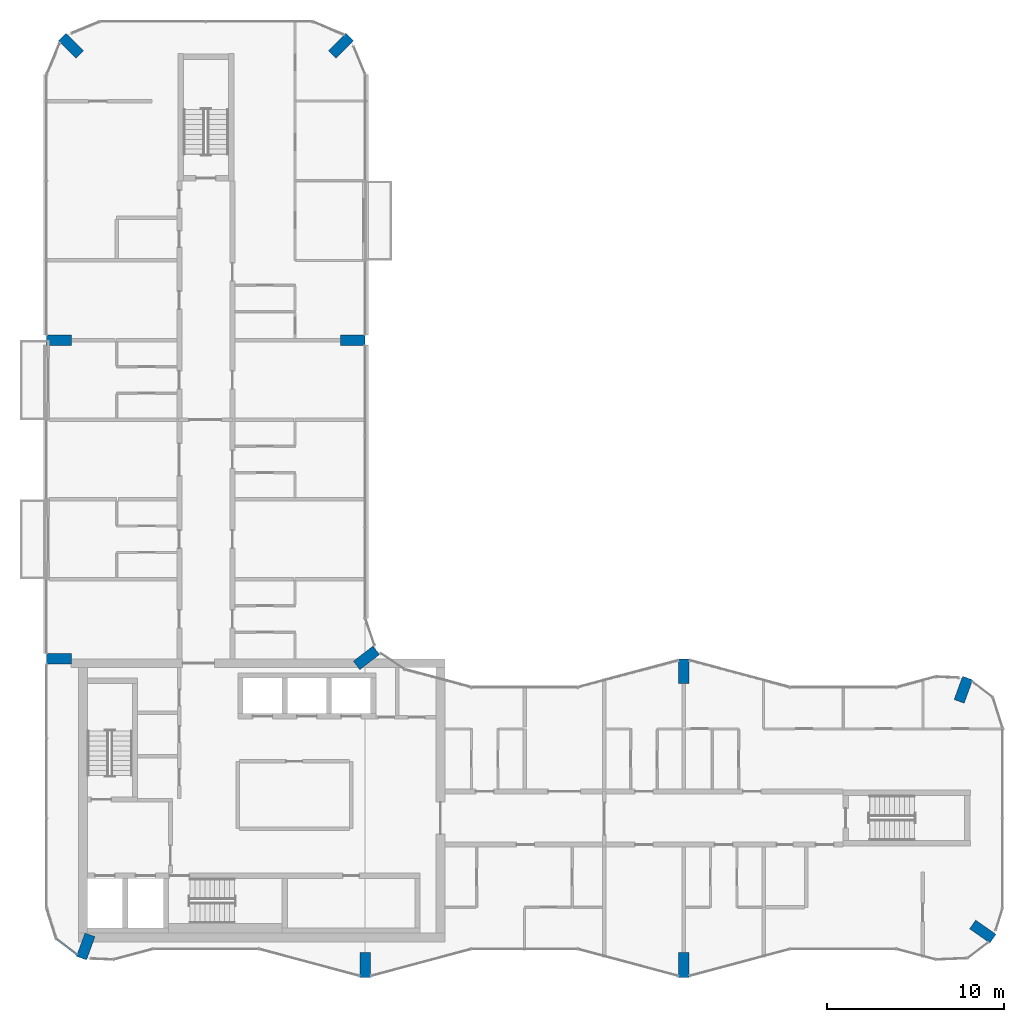
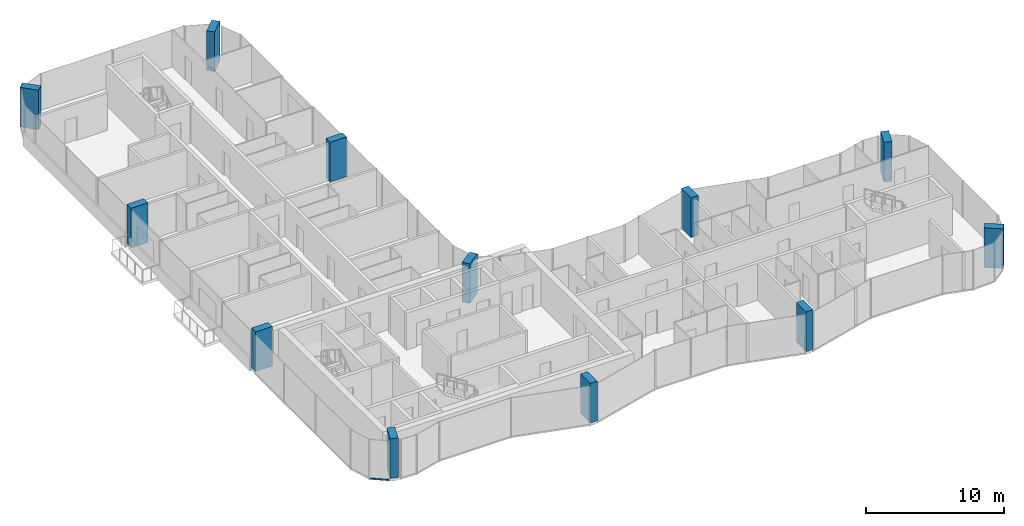
# One storey, part 1 of 16: 12 columns, 1 member, 1 element without a shape of its own.
"""IFC4 building model written with IfcOpenShell, lengths in metres."""

import ifcopenshell
import ifcopenshell.guid

model = None  # the IFC model being written
_history = None  # IfcOwnerHistory: only IFC2X3 demands one
_inside = {}  # id of a spatial element -> (the spatial element, [elements in it])
_under = {}  # id of a project, library or spatial element -> (it, [spatial elements below it])
_declared = {}  # id of a project -> (the project, [libraries it declares])
_typed = {}  # id of a type object -> (the type object, [elements of that type])
_made_of = {}  # id of a material, layer set ... -> (it, [elements and type objects made of it])


def new_model(schema):
    """Start an empty IFC model of exactly this schema.

    Asked for "IFC4X3", IfcOpenShell would pick the latest addendum, in which some entities
    have other attributes; the version numbers below select the first issue.
    IFC2X3 requires an IfcOwnerHistory on every rooted entity: one is made here for all.
    """
    global model, _history
    if schema == "IFC4X3":
        model = ifcopenshell.file(schema_version=(4, 3, 0, 0))
    else:
        model = ifcopenshell.file(schema=schema)
    _inside.clear()
    _under.clear()
    _declared.clear()
    _typed.clear()
    _made_of.clear()
    _history = None
    if model.schema == "IFC2X3":
        org = make("IfcOrganization", Name="unknown")
        user = make(
            "IfcPersonAndOrganization",
            ThePerson=make("IfcPerson", FamilyName="unknown"),
            TheOrganization=org,
        )
        app = make(
            "IfcApplication",
            ApplicationDeveloper=org,
            Version="unknown",
            ApplicationFullName="unknown",
            ApplicationIdentifier="unknown",
        )
        _history = make(
            "IfcOwnerHistory",
            OwningUser=user,
            OwningApplication=app,
            ChangeAction="ADDED",
            CreationDate=0,
        )
    return model


def make(cls, **values):
    """One entity of the class cls with the attributes given. An attribute that is None is left unset."""
    return model.create_entity(
        cls, **{name: value for name, value in values.items() if value is not None}
    )


def rooted(cls, **values):
    """An entity with a GlobalId (a new one), such as an element, a storey or a relation."""
    return make(cls, GlobalId=ifcopenshell.guid.new(), OwnerHistory=_history, **values)


def si_unit(unit_type, name, prefix=None):
    """IfcSIUnit, for example si_unit("LENGTHUNIT", "METRE", prefix="MILLI")."""
    return make("IfcSIUnit", UnitType=unit_type, Prefix=prefix, Name=name)


def assignment(units):
    """IfcUnitAssignment: the units of a project."""
    return None if units is None else make("IfcUnitAssignment", Units=units)


def point(xyz):
    """IfcCartesianPoint."""
    return None if xyz is None else make("IfcCartesianPoint", Coordinates=xyz)


def direction(xyz):
    """IfcDirection."""
    return None if xyz is None else make("IfcDirection", DirectionRatios=xyz)


def frame(location, z_axis=None, x_axis=None):
    """IfcAxis2Placement3D, a coordinate frame: its origin and axes. An axis left out is left unset."""
    return make(
        "IfcAxis2Placement3D",
        Location=point(location),
        Axis=direction(z_axis),
        RefDirection=direction(x_axis),
    )


def frame_2d(location, x_axis=None):
    """IfcAxis2Placement2D, a coordinate frame in the plane: its origin and x axis."""
    return make(
        "IfcAxis2Placement2D", Location=point(location), RefDirection=direction(x_axis)
    )


def origin():
    """The frame at (0, 0, 0) with its axes left unset."""
    return frame((0.0, 0.0, 0.0))


def origin_2d():
    """The frame at (0, 0) in the plane with its x axis left unset."""
    return frame_2d((0.0, 0.0))


def place(relative_to, where):
    """IfcLocalPlacement: puts the frame where relative to a parent placement (None: the world)."""
    return make(
        "IfcLocalPlacement", PlacementRelTo=relative_to, RelativePlacement=where
    )


def context(
    kind, dimensions, precision=None, world=None, true_north=None, identifier=None
):
    """IfcGeometricRepresentationContext, for example the 3D "Model" context."""
    return make(
        "IfcGeometricRepresentationContext",
        ContextIdentifier=identifier,
        ContextType=kind,
        CoordinateSpaceDimension=dimensions,
        Precision=precision,
        WorldCoordinateSystem=world,
        TrueNorth=true_north,
    )


def subcontext(parent, identifier, kind, view, scale=None):
    """IfcGeometricRepresentationSubContext, for example "Body" below "Model"."""
    return make(
        "IfcGeometricRepresentationSubContext",
        ContextIdentifier=identifier,
        ContextType=kind,
        ParentContext=parent,
        TargetScale=scale,
        TargetView=view,
    )


def project(units=None, contexts=None):
    """IfcProject with its units and contexts."""
    return rooted(
        "IfcProject",
        Name="project",
        RepresentationContexts=contexts,
        UnitsInContext=assignment(units),
    )


def spatial(cls, under=None, at=None, **own):
    """A site, building, storey or space (cls), placed at a placement, below another one or the project."""
    s = rooted(cls, ObjectPlacement=at, **own)
    if under is not None:
        _under.setdefault(under.id(), (under, []))[1].append(s)
    return s


def profile(cls, at=None, kind="AREA", **sizes):
    """A parametric profile (cls). Its sizes go by their IFC names, for example OverallWidth=200.0."""
    return make(cls, ProfileType=kind, Position=at, **sizes)


def rectangle(**sizes):
    """IfcRectangleProfileDef."""
    return profile("IfcRectangleProfileDef", **sizes)


def extrude(swept, where, along, depth):
    """IfcExtrudedAreaSolid: the profile swept, set in the frame where, extruded along a direction by depth."""
    return make(
        "IfcExtrudedAreaSolid",
        SweptArea=swept,
        Position=where,
        ExtrudedDirection=direction(along),
        Depth=depth,
    )


def shape(context_of_items, identifier, shape_type, items):
    """IfcShapeRepresentation: the items that make up one representation, for example the "Body"."""
    return make(
        "IfcShapeRepresentation",
        ContextOfItems=context_of_items,
        RepresentationIdentifier=identifier,
        RepresentationType=shape_type,
        Items=items,
    )


def material(Name=None, Category=None):
    """IfcMaterial."""
    return make("IfcMaterial", Name=Name, Category=Category)


def layer(
    of_material, thickness, ventilated=None, Name=None, Category=None, Priority=None
):
    """IfcMaterialLayer: one layer of a wall or slab, of a material (None: an air gap)."""
    return make(
        "IfcMaterialLayer",
        Material=of_material,
        LayerThickness=thickness,
        IsVentilated=ventilated,
        Name=Name,
        Category=Category,
        Priority=Priority,
    )


def layer_set(layers, Name=None):
    """IfcMaterialLayerSet."""
    return make("IfcMaterialLayerSet", MaterialLayers=layers, LayerSetName=Name)


def material_profile(
    of_material, cross_section, Name=None, Category=None, Priority=None
):
    """IfcMaterialProfile: a cross section and its material."""
    return make(
        "IfcMaterialProfile",
        Name=Name,
        Material=of_material,
        Profile=cross_section,
        Priority=Priority,
        Category=Category,
    )


def profile_set(profiles, Name=None, composite=None):
    """IfcMaterialProfileSet."""
    return make(
        "IfcMaterialProfileSet",
        Name=Name,
        MaterialProfiles=profiles,
        CompositeProfile=composite,
    )


def made_of(thing, what):
    """Note that an element or type object is made of a material, layer set ...; save() writes the relation."""
    if what is not None:
        _made_of.setdefault(what.id(), (what, []))[1].append(thing)
    return thing


def type_object(cls, material=None, **own):
    """A type object (cls), such as IfcWallType, which elements share."""
    return made_of(rooted(cls, **own), material)


def element(
    cls,
    number,
    at=None,
    inside=None,
    cuts=None,
    type_object=None,
    material=None,
    context=None,
    identifier="Body",
    shape_type=None,
    held_by="IfcProductDefinitionShape",
    body=None,
    shapes=None,
    **own,
):
    """One element of the class cls, such as IfcWall. Its Tag is "e" and its number.

    at: its placement. inside: the storey or other place that contains it. cuts: it is an
    opening in that element (IfcRelVoidsElement). A single representation is given by context,
    identifier, shape_type and body (its items); several are given by shapes. held_by: the class
    of the entity that holds the representations. save() writes the other relations.
    """
    e = rooted(cls, Tag="e%d" % number, ObjectPlacement=at, **own)
    if body is not None:
        shapes = [shape(context, identifier, shape_type, body)]
    if shapes is not None:
        e.Representation = make(held_by, Representations=shapes)
    if inside is not None:
        _inside.setdefault(inside.id(), (inside, []))[1].append(e)
    if cuts is not None:
        rooted(
            "IfcRelVoidsElement", RelatingBuildingElement=cuts, RelatedOpeningElement=e
        )
    if type_object is not None:
        _typed.setdefault(type_object.id(), (type_object, []))[1].append(e)
    return made_of(e, material)


def aggregate(whole, parts):
    """IfcRelAggregates: a whole, such as a stair, and the parts it consists of."""
    return rooted("IfcRelAggregates", RelatingObject=whole, RelatedObjects=parts)


def save(model, path):
    """Write the relations noted so far, then the file.

    IfcRelAggregates (storeys below a building ...), IfcRelContainedInSpatialStructure (elements
    in a storey), IfcRelDefinesByType, IfcRelAssociatesMaterial and IfcRelDeclares: one each for
    every whole, place, type object, material and project.
    """
    for whole, parts in _under.values():
        aggregate(whole, parts)
    for where, things in _inside.values():
        rooted(
            "IfcRelContainedInSpatialStructure",
            RelatedElements=things,
            RelatingStructure=where,
        )
    for kind, things in _typed.values():
        rooted("IfcRelDefinesByType", RelatedObjects=things, RelatingType=kind)
    for what, things in _made_of.values():
        rooted("IfcRelAssociatesMaterial", RelatedObjects=things, RelatingMaterial=what)
    for by, libraries in _declared.values():
        rooted("IfcRelDeclares", RelatingContext=by, RelatedDefinitions=libraries)
    model.write(path)


model = new_model("IFC4")

# Units and contexts
model_context = context("Model", 3, precision=1e-05, world=origin(), true_north=direction((0.0, 1.0)))
body_context = subcontext(model_context, "Body", "Model", "MODEL_VIEW")
ifc_project = project(units=[si_unit("LENGTHUNIT", "METRE"), si_unit("AREAUNIT", "SQUARE_METRE"), si_unit("VOLUMEUNIT", "CUBIC_METRE"), si_unit("PLANEANGLEUNIT", "RADIAN"), si_unit("MASSUNIT", "GRAM", prefix="KILO")], contexts=[model_context])

# Site, building, storey
site_placement = place(None, origin())
site = spatial("IfcSite", under=ifc_project, at=site_placement, CompositionType="ELEMENT")
building_placement = place(site_placement, origin())
building = spatial("IfcBuilding", under=site, at=building_placement, Name="Plateau Cross Towers", CompositionType="ELEMENT")
storey_placement = place(building_placement, frame((0.0, 0.0, 215.39990234375)))
storey = spatial("IfcBuildingStorey", under=building, at=storey_placement, Name="L56", CompositionType="ELEMENT", Elevation=215.39990234375)

# Columns
ifc_material_1 = material(Name="Concrete C60/75", Category="concrete")
ifc_material_profile_1 = material_profile(ifc_material_1, rectangle(XDim=0.60009765625, YDim=1.39990234375, at=origin_2d()), Name="RC 600x1400")
ifc_profile_set_1 = profile_set([ifc_material_profile_1], Name="Concrete C60/75")
column_type = type_object("IfcColumnType", Name="Fin pier column RC 600x1400", PredefinedType="COLUMN", material=ifc_profile_set_1)
for number, where, z_axis, x_axis, name in (
    (1, (18.0, 0.699951171875, 0.0), (0.0, 0.0, 1.0), (1.0, 0.0, 0.0), "PR1 L56"),
    (2, (36.0, 0.699951171875, 0.0), (0.0, 0.0, 1.0), (1.0, 0.0, 0.0), "PR2 L56"),
    (3, (52.884033203125, 2.590087890625, 0.0), (0.0, 0.0, 1.0), (0.573542637991, 0.819175709117, 0.0), "PR3 L56"),
    (4, (51.786865234375, 16.251953125, 0.0), (0.0, 0.0, 1.0), (-0.939664280925, 0.342097996418, 0.0), "PR4 L56"),
    (5, (36.0, 17.300048828125, 0.0), (0.0, 0.0, 1.0), (1.0, 0.0, 0.0), "PR5 L56"),
    (6, (18.064697265625, 18.049560546875, 0.0), (0.0, 0.0, 1.0), (-0.608810846443, 0.793315418515, 0.0), "PR6 L56"),
    (7, (17.300048828125, 36.0, 0.0), (0.0, 0.0, 1.0), (0.0, 1.0, 0.0), "PR7 L56"),
    (8, (16.62646484375, 52.62646484375, 0.0), (0.0, 0.0, 1.0), (-0.707106781187, 0.707106781187, 0.0), "PR8 L56"),
    (9, (1.37353515625, 52.62646484375, 0.0), (0.0, 0.0, 1.0), (0.707106781187, 0.707106781187, 0.0), "PR9 L56"),
    (10, (0.699951171875, 36.0, 0.0), (0.0, 0.0, 1.0), (0.0, 1.0, 0.0), "PR10 L56"),
    (11, (0.699951171875, 18.0, 0.0), (0.0, 0.0, 1.0), (0.0, 1.0, 0.0), "PR11 L56"),
    (12, (2.213134765625, 1.748046875, 0.0), (0.0, 0.0, 1.0), (-0.939664280925, 0.342097996418, 0.0), "PR12 L56"),
):
    element("IfcColumn", number, at=place(storey_placement, frame(where, z_axis=z_axis, x_axis=x_axis)), inside=storey, type_object=column_type, Name=name, PredefinedType="COLUMN", context=body_context, shape_type="SweptSolid", body=[
        extrude(rectangle(XDim=0.60009765625, YDim=1.39990234375, at=origin_2d()), origin(), (0.0, 0.0, 1.0), 3.5),
    ])

# Curtain wall, member
ifc_material_2 = material(Name="Dark low-iron glass", Category="glass")
ifc_layer = layer(ifc_material_2, 0.239990234375)
ifc_layer_set = layer_set([ifc_layer], Name="Dark low-iron glass")
curtain_wall_type = type_object("IfcCurtainWallType", Name="Curtain wall flush unitised CW-B", PredefinedType="NOTDEFINED", material=ifc_layer_set)
curtain_wall_placement = place(storey_placement, origin())
curtain_wall = element("IfcCurtainWall", 13, at=curtain_wall_placement, inside=storey, type_object=curtain_wall_type, Name="ENV/A/L56/A5_22", PredefinedType="NOTDEFINED")
ifc_material_3 = material(Name="Black anodised aluminium", Category="aluminium")
ifc_material_profile_2 = material_profile(ifc_material_3, rectangle(XDim=0.10009765625, YDim=0.1201171875, at=origin_2d()), Name="TRANSOM 100x120")
ifc_profile_set_2 = profile_set([ifc_material_profile_2], Name="Black anodised aluminium")
member_type = type_object("IfcMemberType", Name="Transom 100x120 flush unitised", PredefinedType="USERDEFINED", material=ifc_profile_set_2)
member_placement = place(storey_placement, frame((0.54248046875, 2.1884765625, -0.18994140625), z_axis=(0.793320508571, -0.608804213751, 0.0), x_axis=(0.608804213751, 0.793320508571, 0.0)))
member = element("IfcMember", 14, at=member_placement, type_object=member_type, Name="CW-B transom", ObjectType="TRANSOM", PredefinedType="USERDEFINED", context=body_context, shape_type="SweptSolid", body=[
    extrude(rectangle(XDim=0.10009765625, YDim=0.1201171875, at=origin_2d()), origin(), (0.0, 0.0, 1.0), 1.471435546875),
])
aggregate(curtain_wall, [member])

save(model, "model.ifc")
